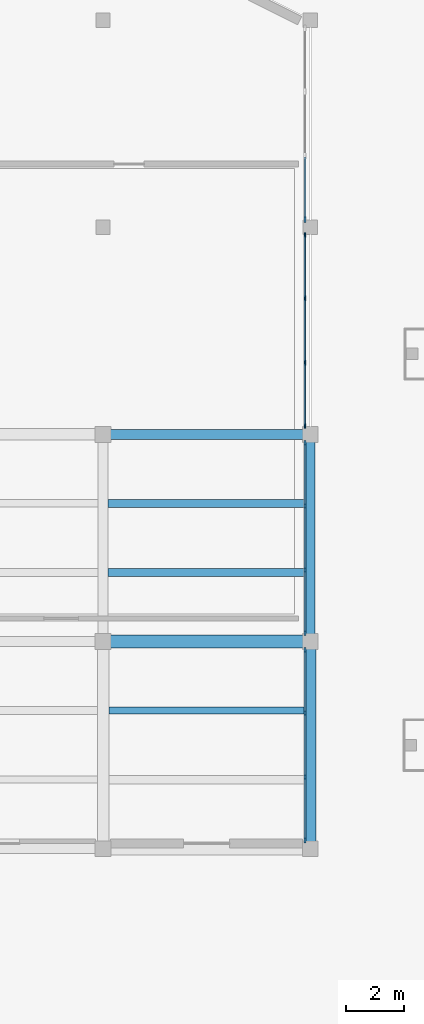
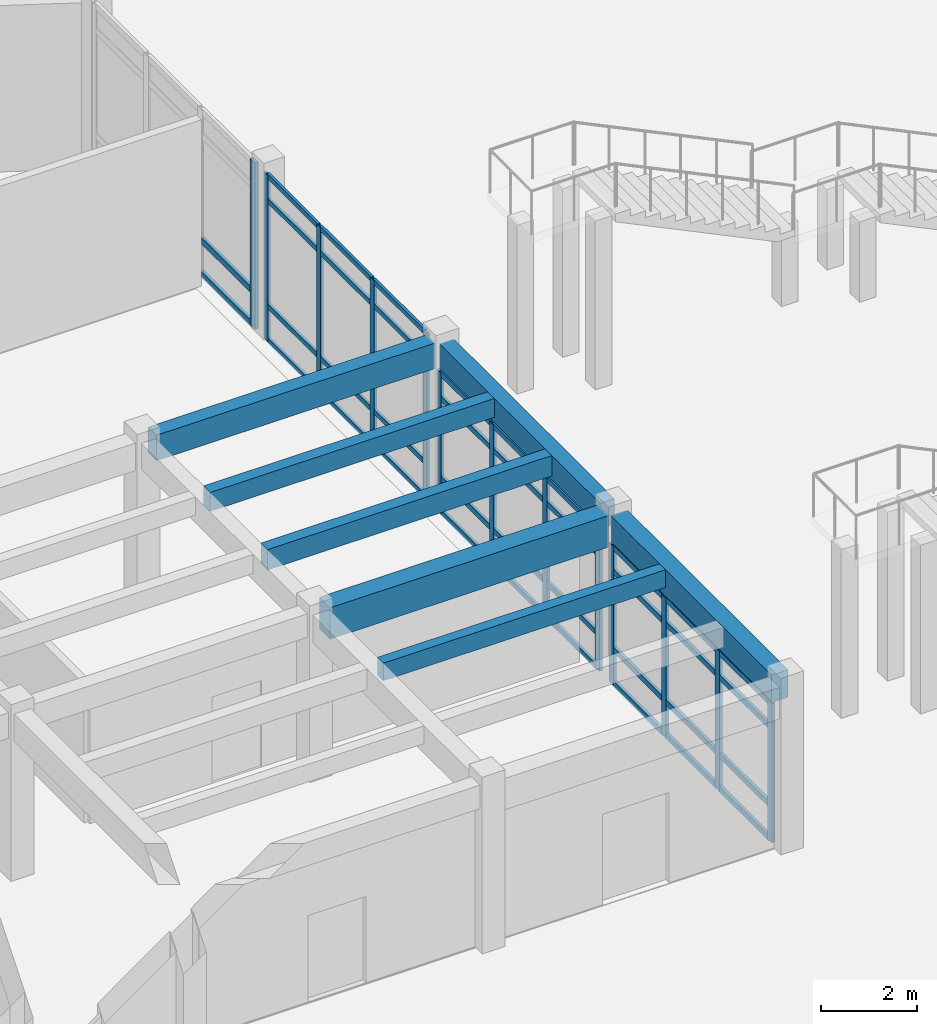
# One storey, part 15 of 58: 51 members, 7 beams, 4 elements without a shape of their own.
"""IFC4 building model written with IfcOpenShell, lengths in metres."""

from ifc_helpers import new_model, si_unit, direction, frame, origin, origin_2d, place, context, subcontext, project, spatial, rectangle, extrude, material, layer, layer_set, material_profile, profile_set, type_object, element, aggregate, save


model = new_model("IFC4")

# Units and contexts
model_context = context("Model", 3, precision=1e-05, world=origin(), true_north=direction((0.0, 1.0)))
body_context = subcontext(model_context, "Body", "Model", "MODEL_VIEW")
ifc_project = project(units=[si_unit("LENGTHUNIT", "METRE"), si_unit("AREAUNIT", "SQUARE_METRE"), si_unit("VOLUMEUNIT", "CUBIC_METRE"), si_unit("PLANEANGLEUNIT", "RADIAN"), si_unit("MASSUNIT", "GRAM", prefix="KILO")], contexts=[model_context])

# Site, building, storey
site_placement = place(None, origin())
site = spatial("IfcSite", under=ifc_project, at=site_placement, CompositionType="ELEMENT")
building_placement = place(site_placement, origin())
building = spatial("IfcBuilding", under=site, at=building_placement, Name="Brisavento Harbour Community Centre", CompositionType="ELEMENT")
storey_placement = place(building_placement, origin())
storey = spatial("IfcBuildingStorey", under=building, at=storey_placement, Name="L00", CompositionType="ELEMENT", Elevation=0.0)

# Beams
ifc_material_1 = material(Name="Concrete C35/45", Category="concrete")
ifc_material_profile_1 = material_profile(ifc_material_1, rectangle(XDim=0.25, YDim=0.449951171875, at=origin_2d()), Name="Concrete C35/45")
ifc_profile_set_1 = profile_set([ifc_material_profile_1], Name="Concrete C35/45")
beam_type_1 = type_object("IfcBeamType", Name="BM-JST-250x450", PredefinedType="JOIST", material=ifc_profile_set_1)
beam_1_placement = place(storey_placement, frame((29.0, 76.800048828125, 4.014892578125), z_axis=(1.0, 0.0, 0.0), x_axis=(0.0, 1.0, 0.0)))
element("IfcBeam", 1, at=beam_1_placement, inside=storey, type_object=beam_type_1, Name="L00 secondary floor joist 0156", PredefinedType="JOIST", context=body_context, shape_type="SweptSolid", body=[
    extrude(rectangle(XDim=0.25, YDim=0.449951171875, at=origin_2d()), origin(), (0.0, 0.0, 1.0), 6.800048828125),
])
ifc_material_profile_2 = material_profile(ifc_material_1, rectangle(XDim=0.280029296875, YDim=0.47998046875, at=origin_2d()), Name="Concrete C35/45")
ifc_profile_set_2 = profile_set([ifc_material_profile_2], Name="Concrete C35/45")
beam_type_2 = type_object("IfcBeamType", Name="BM-JST-280x480", PredefinedType="JOIST", material=ifc_profile_set_2)
beam_2_placement = place(storey_placement, frame((28.97509765625, 84.0, 4.0), z_axis=(1.0, 0.0, 0.0), x_axis=(0.0, 1.0, 0.0)))
element("IfcBeam", 2, at=beam_2_placement, inside=storey, type_object=beam_type_2, Name="L00 secondary floor joist 0158", PredefinedType="JOIST", context=body_context, shape_type="SweptSolid", body=[
    extrude(rectangle(XDim=0.280029296875, YDim=0.47998046875, at=origin_2d()), origin(), (0.0, 0.0, 1.0), 6.849853515625),
])
ifc_material_profile_3 = material_profile(ifc_material_1, rectangle(XDim=0.280029296875, YDim=0.52001953125, at=origin_2d()), Name="Concrete C35/45")
ifc_profile_set_3 = profile_set([ifc_material_profile_3], Name="Concrete C35/45")
beam_type_3 = type_object("IfcBeamType", Name="BM-JST-280x520", PredefinedType="JOIST", material=ifc_profile_set_3)
beam_3_placement = place(storey_placement, frame((28.97509765625, 81.60009765625, 3.97998046875), z_axis=(1.0, 0.0, 0.0), x_axis=(0.0, 1.0, 0.0)))
element("IfcBeam", 3, at=beam_3_placement, inside=storey, type_object=beam_type_3, Name="L00 secondary floor joist 0157", PredefinedType="JOIST", context=body_context, shape_type="SweptSolid", body=[
    extrude(rectangle(XDim=0.280029296875, YDim=0.52001953125, at=origin_2d()), origin(), (0.0, 0.0, 1.0), 6.849853515625),
])
ifc_material_profile_4 = material_profile(ifc_material_1, rectangle(XDim=0.35009765625, YDim=0.64990234375, at=origin_2d()), Name="Concrete C35/45")
ifc_profile_set_4 = profile_set([ifc_material_profile_4], Name="Concrete C35/45")
beam_type_4 = type_object("IfcBeamType", Name="BM-RC-350x650", PredefinedType="BEAM", material=ifc_profile_set_4)
for number, where, z_axis, x_axis, name in (
    (4, (29.044921875, 86.39990234375, 3.9150390625), (1.0, 0.0, 0.0), (0.0, 1.0, 0.0), "L00 primary girder X0313"),
    (5, (36.0, 79.445068359375, 3.9150390625), (0.0, 1.0, 0.0), (-1.0, 0.0, 0.0), "L00 primary girder Y0348"),
):
    element("IfcBeam", number, at=place(storey_placement, frame(where, z_axis=z_axis, x_axis=x_axis)), inside=storey, type_object=beam_type_4, Name=name, PredefinedType="BEAM", context=body_context, shape_type="SweptSolid", body=[
        extrude(rectangle(XDim=0.35009765625, YDim=0.64990234375, at=origin_2d()), origin(), (0.0, 0.0, 1.0), 6.7099609375),
    ])
ifc_material_profile_5 = material_profile(ifc_material_1, rectangle(XDim=0.39990234375, YDim=0.699951171875, at=origin_2d()), Name="Concrete C35/45")
ifc_profile_set_5 = profile_set([ifc_material_profile_5], Name="Concrete C35/45")
beam_type_5 = type_object("IfcBeamType", Name="BM-RC-400x700", PredefinedType="BEAM", material=ifc_profile_set_5)
beam_4_placement = place(storey_placement, frame((36.0, 72.2451171875, 3.889892578125), z_axis=(0.0, 1.0, 0.0), x_axis=(-1.0, 0.0, 0.0)))
element("IfcBeam", 6, at=beam_4_placement, inside=storey, type_object=beam_type_5, Name="L00 primary girder Y0347", PredefinedType="BEAM", context=body_context, shape_type="SweptSolid", body=[
    extrude(rectangle(XDim=0.39990234375, YDim=0.699951171875, at=origin_2d()), origin(), (0.0, 0.0, 1.0), 6.7099609375),
])
ifc_material_profile_6 = material_profile(ifc_material_1, rectangle(XDim=0.449951171875, YDim=0.800048828125, at=origin_2d()), Name="Concrete C35/45")
ifc_profile_set_6 = profile_set([ifc_material_profile_6], Name="Concrete C35/45")
beam_type_6 = type_object("IfcBeamType", Name="BM-RC-450x800", PredefinedType="BEAM", material=ifc_profile_set_6)
beam_5_placement = place(storey_placement, frame((29.044921875, 79.199951171875, 3.840087890625), z_axis=(1.0, 0.0, 0.0), x_axis=(0.0, 1.0, 0.0)))
element("IfcBeam", 7, at=beam_5_placement, inside=storey, type_object=beam_type_6, Name="L00 primary girder X0300", PredefinedType="BEAM", context=body_context, shape_type="SweptSolid", body=[
    extrude(rectangle(XDim=0.449951171875, YDim=0.800048828125, at=origin_2d()), origin(), (0.0, 0.0, 1.0), 6.7099609375),
])

# Curtain wall, members
ifc_material_2 = material(Name="Marine-anodised aluminium AW-6063-T6", Category="aluminium")
ifc_layer_1 = layer(ifc_material_2, 0.179931640625, Name="Marine-anodised aluminium AW-6063-T6")
ifc_layer_set_1 = layer_set([ifc_layer_1], Name="Marine-anodised aluminium AW-6063-T6")
curtain_wall_type_1 = type_object("IfcCurtainWallType", Name="CW-SYS-17", PredefinedType="USERDEFINED", material=ifc_layer_set_1)
curtain_wall_1_placement = place(storey_placement, origin())
curtain_wall_1 = element("IfcCurtainWall", 8, at=curtain_wall_1_placement, inside=storey, type_object=curtain_wall_type_1, Name="L00 V5 unitised curtain wall 017", ObjectType="UNITISED CURTAIN WALL", PredefinedType="USERDEFINED")
ifc_material_profile_7 = material_profile(ifc_material_2, rectangle(XDim=0.06494140625, YDim=0.1650390625, at=origin_2d()), Name="Marine-anodised aluminium AW-6063-T6")
ifc_profile_set_7 = profile_set([ifc_material_profile_7], Name="Marine-anodised aluminium AW-6063-T6")
member_type_1 = type_object("IfcMemberType", Name="CWM-01", PredefinedType="MULLION", material=ifc_profile_set_7)
member_1_placement = place(storey_placement, frame((35.820068359375, 93.33251953125, 0.0), z_axis=(0.0, 0.0, 1.0), x_axis=(1.0, 0.0, 0.0)))
member_1 = element("IfcMember", 9, at=member_1_placement, type_object=member_type_1, Name="CW-17 mullion 1", PredefinedType="MULLION", context=body_context, shape_type="SweptSolid", body=[
    extrude(rectangle(XDim=0.06494140625, YDim=0.1650390625, at=origin_2d()), origin(), (0.0, 0.0, 1.0), 4.239990234375),
])
member_2_placement = place(storey_placement, frame((35.820068359375, 91.1298828125, 0.0), z_axis=(0.0, 0.0, 1.0), x_axis=(1.0, 0.0, 0.0)))
member_2 = element("IfcMember", 10, at=member_2_placement, type_object=member_type_1, Name="CW-17 mullion 2", PredefinedType="MULLION", context=body_context, shape_type="SweptSolid", body=[
    extrude(rectangle(XDim=0.06494140625, YDim=0.1650390625, at=origin_2d()), origin(), (0.0, 0.0, 1.0), 4.239990234375),
])
member_3_placement = place(storey_placement, frame((35.820068359375, 88.89501953125, 0.0), z_axis=(0.0, 0.0, 1.0), x_axis=(1.0, 0.0, 0.0)))
member_3 = element("IfcMember", 11, at=member_3_placement, type_object=member_type_1, Name="CW-17 mullion 3", PredefinedType="MULLION", context=body_context, shape_type="SweptSolid", body=[
    extrude(rectangle(XDim=0.06494140625, YDim=0.1650390625, at=origin_2d()), origin(), (0.0, 0.0, 1.0), 4.239990234375),
])
member_4_placement = place(storey_placement, frame((35.820068359375, 86.6923828125, 0.0), z_axis=(0.0, 0.0, 1.0), x_axis=(1.0, 0.0, 0.0)))
member_4 = element("IfcMember", 12, at=member_4_placement, type_object=member_type_1, Name="CW-17 mullion 4", PredefinedType="MULLION", context=body_context, shape_type="SweptSolid", body=[
    extrude(rectangle(XDim=0.06494140625, YDim=0.1650390625, at=origin_2d()), origin(), (0.0, 0.0, 1.0), 4.239990234375),
])

ifc_layer_2 = layer(ifc_material_2, 0.179931640625, Name="Marine-anodised aluminium AW-6063-T6")
ifc_layer_set_2 = layer_set([ifc_layer_2], Name="Marine-anodised aluminium AW-6063-T6")
curtain_wall_type_2 = type_object("IfcCurtainWallType", Name="CW-SYS-18", PredefinedType="USERDEFINED", material=ifc_layer_set_2)
curtain_wall_2_placement = place(storey_placement, origin())
curtain_wall_2 = element("IfcCurtainWall", 13, at=curtain_wall_2_placement, inside=storey, type_object=curtain_wall_type_2, Name="L00 V5 unitised curtain wall 018", ObjectType="UNITISED CURTAIN WALL", PredefinedType="USERDEFINED")
ifc_material_profile_8 = material_profile(ifc_material_2, rectangle(XDim=0.070068359375, YDim=0.179931640625, at=origin_2d()), Name="Marine-anodised aluminium AW-6063-T6")
ifc_profile_set_8 = profile_set([ifc_material_profile_8], Name="Marine-anodised aluminium AW-6063-T6")
member_type_2 = type_object("IfcMemberType", Name="CWM-02", PredefinedType="MULLION", material=ifc_profile_set_8)
member_5_placement = place(storey_placement, frame((35.820068359375, 86.10498046875, 0.0), z_axis=(0.0, 0.0, 1.0), x_axis=(1.0, 0.0, 0.0)))
member_5 = element("IfcMember", 14, at=member_5_placement, type_object=member_type_2, Name="CW-18 mullion 1", PredefinedType="MULLION", context=body_context, shape_type="SweptSolid", body=[
    extrude(rectangle(XDim=0.070068359375, YDim=0.179931640625, at=origin_2d()), origin(), (0.0, 0.0, 1.0), 3.590087890625),
])
member_6_placement = place(storey_placement, frame((35.820068359375, 83.913330078125, 0.0), z_axis=(0.0, 0.0, 1.0), x_axis=(1.0, 0.0, 0.0)))
member_6 = element("IfcMember", 15, at=member_6_placement, type_object=member_type_2, Name="CW-18 mullion 2", PredefinedType="MULLION", context=body_context, shape_type="SweptSolid", body=[
    extrude(rectangle(XDim=0.070068359375, YDim=0.179931640625, at=origin_2d()), origin(), (0.0, 0.0, 1.0), 3.590087890625),
])
member_7_placement = place(storey_placement, frame((35.820068359375, 81.686767578125, 0.0), z_axis=(0.0, 0.0, 1.0), x_axis=(1.0, 0.0, 0.0)))
member_7 = element("IfcMember", 16, at=member_7_placement, type_object=member_type_2, Name="CW-18 mullion 3", PredefinedType="MULLION", context=body_context, shape_type="SweptSolid", body=[
    extrude(rectangle(XDim=0.070068359375, YDim=0.179931640625, at=origin_2d()), origin(), (0.0, 0.0, 1.0), 3.590087890625),
])
member_8_placement = place(storey_placement, frame((35.820068359375, 79.4951171875, 0.0), z_axis=(0.0, 0.0, 1.0), x_axis=(1.0, 0.0, 0.0)))
member_8 = element("IfcMember", 17, at=member_8_placement, type_object=member_type_2, Name="CW-18 mullion 4", PredefinedType="MULLION", context=body_context, shape_type="SweptSolid", body=[
    extrude(rectangle(XDim=0.070068359375, YDim=0.179931640625, at=origin_2d()), origin(), (0.0, 0.0, 1.0), 3.590087890625),
])

ifc_layer_3 = layer(ifc_material_2, 0.179931640625, Name="Marine-anodised aluminium AW-6063-T6")
ifc_layer_set_3 = layer_set([ifc_layer_3], Name="Marine-anodised aluminium AW-6063-T6")
curtain_wall_type_3 = type_object("IfcCurtainWallType", Name="CW-SYS-19", PredefinedType="USERDEFINED", material=ifc_layer_set_3)
curtain_wall_3_placement = place(storey_placement, origin())
curtain_wall_3 = element("IfcCurtainWall", 18, at=curtain_wall_3_placement, inside=storey, type_object=curtain_wall_type_3, Name="L00 V5 unitised curtain wall 019", ObjectType="UNITISED CURTAIN WALL", PredefinedType="USERDEFINED")
ifc_material_profile_9 = material_profile(ifc_material_2, rectangle(XDim=0.074951171875, YDim=0.18994140625, at=origin_2d()), Name="Marine-anodised aluminium AW-6063-T6")
ifc_profile_set_9 = profile_set([ifc_material_profile_9], Name="Marine-anodised aluminium AW-6063-T6")
member_type_3 = type_object("IfcMemberType", Name="CWM-03", PredefinedType="MULLION", material=ifc_profile_set_9)
member_9_placement = place(storey_placement, frame((35.820068359375, 78.902587890625, 0.0), z_axis=(0.0, 0.0, 1.0), x_axis=(1.0, 0.0, 0.0)))
member_9 = element("IfcMember", 19, at=member_9_placement, type_object=member_type_3, Name="CW-19 mullion 1", PredefinedType="MULLION", context=body_context, shape_type="SweptSolid", body=[
    extrude(rectangle(XDim=0.074951171875, YDim=0.18994140625, at=origin_2d()), origin(), (0.0, 0.0, 1.0), 3.5400390625),
])
member_10_placement = place(storey_placement, frame((35.820068359375, 76.71337890625, 0.0), z_axis=(0.0, 0.0, 1.0), x_axis=(1.0, 0.0, 0.0)))
member_10 = element("IfcMember", 20, at=member_10_placement, type_object=member_type_3, Name="CW-19 mullion 2", PredefinedType="MULLION", context=body_context, shape_type="SweptSolid", body=[
    extrude(rectangle(XDim=0.074951171875, YDim=0.18994140625, at=origin_2d()), origin(), (0.0, 0.0, 1.0), 3.5400390625),
])
member_11_placement = place(storey_placement, frame((35.820068359375, 74.486572265625, 0.0), z_axis=(0.0, 0.0, 1.0), x_axis=(1.0, 0.0, 0.0)))
member_11 = element("IfcMember", 21, at=member_11_placement, type_object=member_type_3, Name="CW-19 mullion 3", PredefinedType="MULLION", context=body_context, shape_type="SweptSolid", body=[
    extrude(rectangle(XDim=0.074951171875, YDim=0.18994140625, at=origin_2d()), origin(), (0.0, 0.0, 1.0), 3.5400390625),
])
member_12_placement = place(storey_placement, frame((35.820068359375, 72.297607421875, 0.0), z_axis=(0.0, 0.0, 1.0), x_axis=(1.0, 0.0, 0.0)))
member_12 = element("IfcMember", 22, at=member_12_placement, type_object=member_type_3, Name="CW-19 mullion 4", PredefinedType="MULLION", context=body_context, shape_type="SweptSolid", body=[
    extrude(rectangle(XDim=0.074951171875, YDim=0.18994140625, at=origin_2d()), origin(), (0.0, 0.0, 1.0), 3.5400390625),
])

# Curtain wall, member
ifc_layer_4 = layer(ifc_material_2, 0.179931640625, Name="Marine-anodised aluminium AW-6063-T6")
ifc_layer_set_4 = layer_set([ifc_layer_4], Name="Marine-anodised aluminium AW-6063-T6")
curtain_wall_type_4 = type_object("IfcCurtainWallType", Name="CW-SYS-16", PredefinedType="USERDEFINED", material=ifc_layer_set_4)
curtain_wall_4_placement = place(storey_placement, origin())
curtain_wall_4 = element("IfcCurtainWall", 23, at=curtain_wall_4_placement, inside=storey, type_object=curtain_wall_type_4, Name="L00 V5 unitised curtain wall 016", ObjectType="UNITISED CURTAIN WALL", PredefinedType="USERDEFINED")
ifc_material_profile_10 = material_profile(ifc_material_2, rectangle(XDim=0.080078125, YDim=0.2099609375, at=origin_2d()), Name="Marine-anodised aluminium AW-6063-T6")
ifc_profile_set_10 = profile_set([ifc_material_profile_10], Name="Marine-anodised aluminium AW-6063-T6")
member_type_4 = type_object("IfcMemberType", Name="CWM-04", PredefinedType="MULLION", material=ifc_profile_set_10)
member_13_placement = place(storey_placement, frame((35.820068359375, 93.875, 0.0), z_axis=(0.0, 0.0, 1.0), x_axis=(1.0, 0.0, 0.0)))
member_13 = element("IfcMember", 24, at=member_13_placement, type_object=member_type_4, Name="CW-16 mullion 4", PredefinedType="MULLION", context=body_context, shape_type="SweptSolid", body=[
    extrude(rectangle(XDim=0.080078125, YDim=0.2099609375, at=origin_2d()), origin(), (0.0, 0.0, 1.0), 4.239990234375),
])

# Member
ifc_material_profile_11 = material_profile(ifc_material_2, rectangle(XDim=0.06494140625, YDim=0.125, at=origin_2d()), Name="Marine-anodised aluminium AW-6063-T6")
ifc_profile_set_11 = profile_set([ifc_material_profile_11], Name="Marine-anodised aluminium AW-6063-T6")
member_type_5 = type_object("IfcMemberType", Name="CWT-01", PredefinedType="USERDEFINED", material=ifc_profile_set_11)
member_14_placement = place(storey_placement, frame((35.820068359375, 93.300048828125, 0.032470703125), z_axis=(0.0, -1.0, 0.0), x_axis=(1.0, 0.0, 0.0)))
member_14 = element("IfcMember", 25, at=member_14_placement, type_object=member_type_5, Name="CW-17 transom 1.1", ObjectType="TRANSOM", PredefinedType="USERDEFINED", context=body_context, shape_type="SweptSolid", body=[
    extrude(rectangle(XDim=0.06494140625, YDim=0.125, at=origin_2d()), origin(), (0.0, 0.0, 1.0), 2.137451171875),
])

member_15_placement = place(storey_placement, frame((35.820068359375, 93.300048828125, 0.89990234375), z_axis=(0.0, -1.0, 0.0), x_axis=(1.0, 0.0, 0.0)))
member_15 = element("IfcMember", 26, at=member_15_placement, type_object=member_type_5, Name="CW-17 transom 1.2", ObjectType="TRANSOM", PredefinedType="USERDEFINED", context=body_context, shape_type="SweptSolid", body=[
    extrude(rectangle(XDim=0.06494140625, YDim=0.125, at=origin_2d()), origin(), (0.0, 0.0, 1.0), 2.137451171875),
])

member_16_placement = place(storey_placement, frame((35.820068359375, 93.300048828125, 3.590087890625), z_axis=(0.0, -1.0, 0.0), x_axis=(1.0, 0.0, 0.0)))
member_16 = element("IfcMember", 27, at=member_16_placement, type_object=member_type_5, Name="CW-17 transom 1.3", ObjectType="TRANSOM", PredefinedType="USERDEFINED", context=body_context, shape_type="SweptSolid", body=[
    extrude(rectangle(XDim=0.06494140625, YDim=0.125, at=origin_2d()), origin(), (0.0, 0.0, 1.0), 2.137451171875),
])

member_17_placement = place(storey_placement, frame((35.820068359375, 93.300048828125, 4.20751953125), z_axis=(0.0, -1.0, 0.0), x_axis=(1.0, 0.0, 0.0)))
member_17 = element("IfcMember", 28, at=member_17_placement, type_object=member_type_5, Name="CW-17 transom 1.4", ObjectType="TRANSOM", PredefinedType="USERDEFINED", context=body_context, shape_type="SweptSolid", body=[
    extrude(rectangle(XDim=0.06494140625, YDim=0.125, at=origin_2d()), origin(), (0.0, 0.0, 1.0), 2.137451171875),
])

member_18_placement = place(storey_placement, frame((35.820068359375, 91.097412109375, 0.032470703125), z_axis=(0.0, -1.0, 0.0), x_axis=(1.0, 0.0, 0.0)))
member_18 = element("IfcMember", 29, at=member_18_placement, type_object=member_type_5, Name="CW-17 transom 2.1", ObjectType="TRANSOM", PredefinedType="USERDEFINED", context=body_context, shape_type="SweptSolid", body=[
    extrude(rectangle(XDim=0.06494140625, YDim=0.125, at=origin_2d()), origin(), (0.0, 0.0, 1.0), 2.169921875),
])

member_19_placement = place(storey_placement, frame((35.820068359375, 91.097412109375, 0.89990234375), z_axis=(0.0, -1.0, 0.0), x_axis=(1.0, 0.0, 0.0)))
member_19 = element("IfcMember", 30, at=member_19_placement, type_object=member_type_5, Name="CW-17 transom 2.2", ObjectType="TRANSOM", PredefinedType="USERDEFINED", context=body_context, shape_type="SweptSolid", body=[
    extrude(rectangle(XDim=0.06494140625, YDim=0.125, at=origin_2d()), origin(), (0.0, 0.0, 1.0), 2.169921875),
])

member_20_placement = place(storey_placement, frame((35.820068359375, 91.097412109375, 3.590087890625), z_axis=(0.0, -1.0, 0.0), x_axis=(1.0, 0.0, 0.0)))
member_20 = element("IfcMember", 31, at=member_20_placement, type_object=member_type_5, Name="CW-17 transom 2.3", ObjectType="TRANSOM", PredefinedType="USERDEFINED", context=body_context, shape_type="SweptSolid", body=[
    extrude(rectangle(XDim=0.06494140625, YDim=0.125, at=origin_2d()), origin(), (0.0, 0.0, 1.0), 2.169921875),
])

member_21_placement = place(storey_placement, frame((35.820068359375, 91.097412109375, 4.20751953125), z_axis=(0.0, -1.0, 0.0), x_axis=(1.0, 0.0, 0.0)))
member_21 = element("IfcMember", 32, at=member_21_placement, type_object=member_type_5, Name="CW-17 transom 2.4", ObjectType="TRANSOM", PredefinedType="USERDEFINED", context=body_context, shape_type="SweptSolid", body=[
    extrude(rectangle(XDim=0.06494140625, YDim=0.125, at=origin_2d()), origin(), (0.0, 0.0, 1.0), 2.169921875),
])

member_22_placement = place(storey_placement, frame((35.820068359375, 88.862548828125, 0.032470703125), z_axis=(0.0, -1.0, 0.0), x_axis=(1.0, 0.0, 0.0)))
member_22 = element("IfcMember", 33, at=member_22_placement, type_object=member_type_5, Name="CW-17 transom 3.1", ObjectType="TRANSOM", PredefinedType="USERDEFINED", context=body_context, shape_type="SweptSolid", body=[
    extrude(rectangle(XDim=0.06494140625, YDim=0.125, at=origin_2d()), origin(), (0.0, 0.0, 1.0), 2.137451171875),
])

member_23_placement = place(storey_placement, frame((35.820068359375, 88.862548828125, 0.89990234375), z_axis=(0.0, -1.0, 0.0), x_axis=(1.0, 0.0, 0.0)))
member_23 = element("IfcMember", 34, at=member_23_placement, type_object=member_type_5, Name="CW-17 transom 3.2", ObjectType="TRANSOM", PredefinedType="USERDEFINED", context=body_context, shape_type="SweptSolid", body=[
    extrude(rectangle(XDim=0.06494140625, YDim=0.125, at=origin_2d()), origin(), (0.0, 0.0, 1.0), 2.137451171875),
])

member_24_placement = place(storey_placement, frame((35.820068359375, 88.862548828125, 3.590087890625), z_axis=(0.0, -1.0, 0.0), x_axis=(1.0, 0.0, 0.0)))
member_24 = element("IfcMember", 35, at=member_24_placement, type_object=member_type_5, Name="CW-17 transom 3.3", ObjectType="TRANSOM", PredefinedType="USERDEFINED", context=body_context, shape_type="SweptSolid", body=[
    extrude(rectangle(XDim=0.06494140625, YDim=0.125, at=origin_2d()), origin(), (0.0, 0.0, 1.0), 2.137451171875),
])

member_25_placement = place(storey_placement, frame((35.820068359375, 88.862548828125, 4.20751953125), z_axis=(0.0, -1.0, 0.0), x_axis=(1.0, 0.0, 0.0)))
member_25 = element("IfcMember", 36, at=member_25_placement, type_object=member_type_5, Name="CW-17 transom 3.4", ObjectType="TRANSOM", PredefinedType="USERDEFINED", context=body_context, shape_type="SweptSolid", body=[
    extrude(rectangle(XDim=0.06494140625, YDim=0.125, at=origin_2d()), origin(), (0.0, 0.0, 1.0), 2.137451171875),
])

aggregate(curtain_wall_1, [member_1, member_2, member_3, member_4, member_14, member_15, member_16, member_17, member_18, member_19, member_20, member_21, member_22, member_23, member_24, member_25])

ifc_material_profile_12 = material_profile(ifc_material_2, rectangle(XDim=0.070068359375, YDim=0.132080078125, at=origin_2d()), Name="Marine-anodised aluminium AW-6063-T6")
ifc_profile_set_12 = profile_set([ifc_material_profile_12], Name="Marine-anodised aluminium AW-6063-T6")
member_type_6 = type_object("IfcMemberType", Name="CWT-02", PredefinedType="USERDEFINED", material=ifc_profile_set_12)
member_26_placement = place(storey_placement, frame((35.820068359375, 86.070068359375, 0.034912109375), z_axis=(0.0, -1.0, 0.0), x_axis=(1.0, 0.0, 0.0)))
member_26 = element("IfcMember", 37, at=member_26_placement, type_object=member_type_6, Name="CW-18 transom 1.1", ObjectType="TRANSOM", PredefinedType="USERDEFINED", context=body_context, shape_type="SweptSolid", body=[
    extrude(rectangle(XDim=0.070068359375, YDim=0.132080078125, at=origin_2d()), origin(), (0.0, 0.0, 1.0), 2.121826171875),
])

member_27_placement = place(storey_placement, frame((35.820068359375, 86.070068359375, 0.89990234375), z_axis=(0.0, -1.0, 0.0), x_axis=(1.0, 0.0, 0.0)))
member_27 = element("IfcMember", 38, at=member_27_placement, type_object=member_type_6, Name="CW-18 transom 1.2", ObjectType="TRANSOM", PredefinedType="USERDEFINED", context=body_context, shape_type="SweptSolid", body=[
    extrude(rectangle(XDim=0.070068359375, YDim=0.132080078125, at=origin_2d()), origin(), (0.0, 0.0, 1.0), 2.121826171875),
])

member_28_placement = place(storey_placement, frame((35.820068359375, 86.070068359375, 2.93994140625), z_axis=(0.0, -1.0, 0.0), x_axis=(1.0, 0.0, 0.0)))
member_28 = element("IfcMember", 39, at=member_28_placement, type_object=member_type_6, Name="CW-18 transom 1.3", ObjectType="TRANSOM", PredefinedType="USERDEFINED", context=body_context, shape_type="SweptSolid", body=[
    extrude(rectangle(XDim=0.070068359375, YDim=0.132080078125, at=origin_2d()), origin(), (0.0, 0.0, 1.0), 2.121826171875),
])

member_29_placement = place(storey_placement, frame((35.820068359375, 86.070068359375, 3.554931640625), z_axis=(0.0, -1.0, 0.0), x_axis=(1.0, 0.0, 0.0)))
member_29 = element("IfcMember", 40, at=member_29_placement, type_object=member_type_6, Name="CW-18 transom 1.4", ObjectType="TRANSOM", PredefinedType="USERDEFINED", context=body_context, shape_type="SweptSolid", body=[
    extrude(rectangle(XDim=0.070068359375, YDim=0.132080078125, at=origin_2d()), origin(), (0.0, 0.0, 1.0), 2.121826171875),
])

member_30_placement = place(storey_placement, frame((35.820068359375, 83.87841796875, 0.034912109375), z_axis=(0.0, -1.0, 0.0), x_axis=(1.0, 0.0, 0.0)))
member_30 = element("IfcMember", 41, at=member_30_placement, type_object=member_type_6, Name="CW-18 transom 2.1", ObjectType="TRANSOM", PredefinedType="USERDEFINED", context=body_context, shape_type="SweptSolid", body=[
    extrude(rectangle(XDim=0.070068359375, YDim=0.132080078125, at=origin_2d()), origin(), (0.0, 0.0, 1.0), 2.15673828125),
])

member_31_placement = place(storey_placement, frame((35.820068359375, 83.87841796875, 0.89990234375), z_axis=(0.0, -1.0, 0.0), x_axis=(1.0, 0.0, 0.0)))
member_31 = element("IfcMember", 42, at=member_31_placement, type_object=member_type_6, Name="CW-18 transom 2.2", ObjectType="TRANSOM", PredefinedType="USERDEFINED", context=body_context, shape_type="SweptSolid", body=[
    extrude(rectangle(XDim=0.070068359375, YDim=0.132080078125, at=origin_2d()), origin(), (0.0, 0.0, 1.0), 2.15673828125),
])

member_32_placement = place(storey_placement, frame((35.820068359375, 83.87841796875, 2.93994140625), z_axis=(0.0, -1.0, 0.0), x_axis=(1.0, 0.0, 0.0)))
member_32 = element("IfcMember", 43, at=member_32_placement, type_object=member_type_6, Name="CW-18 transom 2.3", ObjectType="TRANSOM", PredefinedType="USERDEFINED", context=body_context, shape_type="SweptSolid", body=[
    extrude(rectangle(XDim=0.070068359375, YDim=0.132080078125, at=origin_2d()), origin(), (0.0, 0.0, 1.0), 2.15673828125),
])

member_33_placement = place(storey_placement, frame((35.820068359375, 83.87841796875, 3.554931640625), z_axis=(0.0, -1.0, 0.0), x_axis=(1.0, 0.0, 0.0)))
member_33 = element("IfcMember", 44, at=member_33_placement, type_object=member_type_6, Name="CW-18 transom 2.4", ObjectType="TRANSOM", PredefinedType="USERDEFINED", context=body_context, shape_type="SweptSolid", body=[
    extrude(rectangle(XDim=0.070068359375, YDim=0.132080078125, at=origin_2d()), origin(), (0.0, 0.0, 1.0), 2.15673828125),
])

member_34_placement = place(storey_placement, frame((35.820068359375, 81.651611328125, 0.034912109375), z_axis=(0.0, -1.0, 0.0), x_axis=(1.0, 0.0, 0.0)))
member_34 = element("IfcMember", 45, at=member_34_placement, type_object=member_type_6, Name="CW-18 transom 3.1", ObjectType="TRANSOM", PredefinedType="USERDEFINED", context=body_context, shape_type="SweptSolid", body=[
    extrude(rectangle(XDim=0.070068359375, YDim=0.132080078125, at=origin_2d()), origin(), (0.0, 0.0, 1.0), 2.12158203125),
])

member_35_placement = place(storey_placement, frame((35.820068359375, 81.651611328125, 0.89990234375), z_axis=(0.0, -1.0, 0.0), x_axis=(1.0, 0.0, 0.0)))
member_35 = element("IfcMember", 46, at=member_35_placement, type_object=member_type_6, Name="CW-18 transom 3.2", ObjectType="TRANSOM", PredefinedType="USERDEFINED", context=body_context, shape_type="SweptSolid", body=[
    extrude(rectangle(XDim=0.070068359375, YDim=0.132080078125, at=origin_2d()), origin(), (0.0, 0.0, 1.0), 2.12158203125),
])

member_36_placement = place(storey_placement, frame((35.820068359375, 81.651611328125, 2.93994140625), z_axis=(0.0, -1.0, 0.0), x_axis=(1.0, 0.0, 0.0)))
member_36 = element("IfcMember", 47, at=member_36_placement, type_object=member_type_6, Name="CW-18 transom 3.3", ObjectType="TRANSOM", PredefinedType="USERDEFINED", context=body_context, shape_type="SweptSolid", body=[
    extrude(rectangle(XDim=0.070068359375, YDim=0.132080078125, at=origin_2d()), origin(), (0.0, 0.0, 1.0), 2.12158203125),
])

member_37_placement = place(storey_placement, frame((35.820068359375, 81.651611328125, 3.554931640625), z_axis=(0.0, -1.0, 0.0), x_axis=(1.0, 0.0, 0.0)))
member_37 = element("IfcMember", 48, at=member_37_placement, type_object=member_type_6, Name="CW-18 transom 3.4", ObjectType="TRANSOM", PredefinedType="USERDEFINED", context=body_context, shape_type="SweptSolid", body=[
    extrude(rectangle(XDim=0.070068359375, YDim=0.132080078125, at=origin_2d()), origin(), (0.0, 0.0, 1.0), 2.12158203125),
])

aggregate(curtain_wall_2, [member_5, member_6, member_7, member_8, member_26, member_27, member_28, member_29, member_30, member_31, member_32, member_33, member_34, member_35, member_36, member_37])

ifc_material_profile_13 = material_profile(ifc_material_2, rectangle(XDim=0.074951171875, YDim=0.139892578125, at=origin_2d()), Name="Marine-anodised aluminium AW-6063-T6")
ifc_profile_set_13 = profile_set([ifc_material_profile_13], Name="Marine-anodised aluminium AW-6063-T6")
member_type_7 = type_object("IfcMemberType", Name="CWT-03", PredefinedType="USERDEFINED", material=ifc_profile_set_13)
member_38_placement = place(storey_placement, frame((35.820068359375, 78.864990234375, 0.03759765625), z_axis=(0.0, -1.0, 0.0), x_axis=(1.0, 0.0, 0.0)))
member_38 = element("IfcMember", 49, at=member_38_placement, type_object=member_type_7, Name="CW-19 transom 1.1", ObjectType="TRANSOM", PredefinedType="USERDEFINED", context=body_context, shape_type="SweptSolid", body=[
    extrude(rectangle(XDim=0.074951171875, YDim=0.139892578125, at=origin_2d()), origin(), (0.0, 0.0, 1.0), 2.1142578125),
])

member_39_placement = place(storey_placement, frame((35.820068359375, 78.864990234375, 0.89990234375), z_axis=(0.0, -1.0, 0.0), x_axis=(1.0, 0.0, 0.0)))
member_39 = element("IfcMember", 50, at=member_39_placement, type_object=member_type_7, Name="CW-19 transom 1.2", ObjectType="TRANSOM", PredefinedType="USERDEFINED", context=body_context, shape_type="SweptSolid", body=[
    extrude(rectangle(XDim=0.074951171875, YDim=0.139892578125, at=origin_2d()), origin(), (0.0, 0.0, 1.0), 2.1142578125),
])

member_40_placement = place(storey_placement, frame((35.820068359375, 78.864990234375, 2.889892578125), z_axis=(0.0, -1.0, 0.0), x_axis=(1.0, 0.0, 0.0)))
member_40 = element("IfcMember", 51, at=member_40_placement, type_object=member_type_7, Name="CW-19 transom 1.3", ObjectType="TRANSOM", PredefinedType="USERDEFINED", context=body_context, shape_type="SweptSolid", body=[
    extrude(rectangle(XDim=0.074951171875, YDim=0.139892578125, at=origin_2d()), origin(), (0.0, 0.0, 1.0), 2.1142578125),
])

member_41_placement = place(storey_placement, frame((35.820068359375, 78.864990234375, 3.50244140625), z_axis=(0.0, -1.0, 0.0), x_axis=(1.0, 0.0, 0.0)))
member_41 = element("IfcMember", 52, at=member_41_placement, type_object=member_type_7, Name="CW-19 transom 1.4", ObjectType="TRANSOM", PredefinedType="USERDEFINED", context=body_context, shape_type="SweptSolid", body=[
    extrude(rectangle(XDim=0.074951171875, YDim=0.139892578125, at=origin_2d()), origin(), (0.0, 0.0, 1.0), 2.1142578125),
])

member_42_placement = place(storey_placement, frame((35.820068359375, 76.67578125, 0.03759765625), z_axis=(0.0, -1.0, 0.0), x_axis=(1.0, 0.0, 0.0)))
member_42 = element("IfcMember", 53, at=member_42_placement, type_object=member_type_7, Name="CW-19 transom 2.1", ObjectType="TRANSOM", PredefinedType="USERDEFINED", context=body_context, shape_type="SweptSolid", body=[
    extrude(rectangle(XDim=0.074951171875, YDim=0.139892578125, at=origin_2d()), origin(), (0.0, 0.0, 1.0), 2.151611328125),
])

member_43_placement = place(storey_placement, frame((35.820068359375, 76.67578125, 0.89990234375), z_axis=(0.0, -1.0, 0.0), x_axis=(1.0, 0.0, 0.0)))
member_43 = element("IfcMember", 54, at=member_43_placement, type_object=member_type_7, Name="CW-19 transom 2.2", ObjectType="TRANSOM", PredefinedType="USERDEFINED", context=body_context, shape_type="SweptSolid", body=[
    extrude(rectangle(XDim=0.074951171875, YDim=0.139892578125, at=origin_2d()), origin(), (0.0, 0.0, 1.0), 2.151611328125),
])

member_44_placement = place(storey_placement, frame((35.820068359375, 76.67578125, 2.889892578125), z_axis=(0.0, -1.0, 0.0), x_axis=(1.0, 0.0, 0.0)))
member_44 = element("IfcMember", 55, at=member_44_placement, type_object=member_type_7, Name="CW-19 transom 2.3", ObjectType="TRANSOM", PredefinedType="USERDEFINED", context=body_context, shape_type="SweptSolid", body=[
    extrude(rectangle(XDim=0.074951171875, YDim=0.139892578125, at=origin_2d()), origin(), (0.0, 0.0, 1.0), 2.151611328125),
])

member_45_placement = place(storey_placement, frame((35.820068359375, 76.67578125, 3.50244140625), z_axis=(0.0, -1.0, 0.0), x_axis=(1.0, 0.0, 0.0)))
member_45 = element("IfcMember", 56, at=member_45_placement, type_object=member_type_7, Name="CW-19 transom 2.4", ObjectType="TRANSOM", PredefinedType="USERDEFINED", context=body_context, shape_type="SweptSolid", body=[
    extrude(rectangle(XDim=0.074951171875, YDim=0.139892578125, at=origin_2d()), origin(), (0.0, 0.0, 1.0), 2.151611328125),
])

member_46_placement = place(storey_placement, frame((35.820068359375, 74.44921875, 0.03759765625), z_axis=(0.0, -1.0, 0.0), x_axis=(1.0, 0.0, 0.0)))
member_46 = element("IfcMember", 57, at=member_46_placement, type_object=member_type_7, Name="CW-19 transom 3.1", ObjectType="TRANSOM", PredefinedType="USERDEFINED", context=body_context, shape_type="SweptSolid", body=[
    extrude(rectangle(XDim=0.074951171875, YDim=0.139892578125, at=origin_2d()), origin(), (0.0, 0.0, 1.0), 2.1142578125),
])

member_47_placement = place(storey_placement, frame((35.820068359375, 74.44921875, 0.89990234375), z_axis=(0.0, -1.0, 0.0), x_axis=(1.0, 0.0, 0.0)))
member_47 = element("IfcMember", 58, at=member_47_placement, type_object=member_type_7, Name="CW-19 transom 3.2", ObjectType="TRANSOM", PredefinedType="USERDEFINED", context=body_context, shape_type="SweptSolid", body=[
    extrude(rectangle(XDim=0.074951171875, YDim=0.139892578125, at=origin_2d()), origin(), (0.0, 0.0, 1.0), 2.1142578125),
])

member_48_placement = place(storey_placement, frame((35.820068359375, 74.44921875, 2.889892578125), z_axis=(0.0, -1.0, 0.0), x_axis=(1.0, 0.0, 0.0)))
member_48 = element("IfcMember", 59, at=member_48_placement, type_object=member_type_7, Name="CW-19 transom 3.3", ObjectType="TRANSOM", PredefinedType="USERDEFINED", context=body_context, shape_type="SweptSolid", body=[
    extrude(rectangle(XDim=0.074951171875, YDim=0.139892578125, at=origin_2d()), origin(), (0.0, 0.0, 1.0), 2.1142578125),
])

member_49_placement = place(storey_placement, frame((35.820068359375, 74.44921875, 3.50244140625), z_axis=(0.0, -1.0, 0.0), x_axis=(1.0, 0.0, 0.0)))
member_49 = element("IfcMember", 60, at=member_49_placement, type_object=member_type_7, Name="CW-19 transom 3.4", ObjectType="TRANSOM", PredefinedType="USERDEFINED", context=body_context, shape_type="SweptSolid", body=[
    extrude(rectangle(XDim=0.074951171875, YDim=0.139892578125, at=origin_2d()), origin(), (0.0, 0.0, 1.0), 2.1142578125),
])

aggregate(curtain_wall_3, [member_9, member_10, member_11, member_12, member_38, member_39, member_40, member_41, member_42, member_43, member_44, member_45, member_46, member_47, member_48, member_49])

ifc_material_profile_14 = material_profile(ifc_material_2, rectangle(XDim=0.080078125, YDim=0.155029296875, at=origin_2d()), Name="Marine-anodised aluminium AW-6063-T6")
ifc_profile_set_14 = profile_set([ifc_material_profile_14], Name="Marine-anodised aluminium AW-6063-T6")
member_type_8 = type_object("IfcMemberType", Name="CWT-04", PredefinedType="USERDEFINED", material=ifc_profile_set_14)
member_50_placement = place(storey_placement, frame((35.820068359375, 96.038330078125, 0.0400390625), z_axis=(0.0, -1.0, 0.0), x_axis=(1.0, 0.0, 0.0)))
member_50 = element("IfcMember", 61, at=member_50_placement, type_object=member_type_8, Name="CW-16 transom 3.1", ObjectType="TRANSOM", PredefinedType="USERDEFINED", context=body_context, shape_type="SweptSolid", body=[
    extrude(rectangle(XDim=0.080078125, YDim=0.155029296875, at=origin_2d()), origin(), (0.0, 0.0, 1.0), 2.123291015625),
])

member_51_placement = place(storey_placement, frame((35.820068359375, 96.038330078125, 0.89990234375), z_axis=(0.0, -1.0, 0.0), x_axis=(1.0, 0.0, 0.0)))
member_51 = element("IfcMember", 62, at=member_51_placement, type_object=member_type_8, Name="CW-16 transom 3.2", ObjectType="TRANSOM", PredefinedType="USERDEFINED", context=body_context, shape_type="SweptSolid", body=[
    extrude(rectangle(XDim=0.080078125, YDim=0.155029296875, at=origin_2d()), origin(), (0.0, 0.0, 1.0), 2.123291015625),
])

aggregate(curtain_wall_4, [member_13, member_50, member_51])

save(model, "model.ifc")
